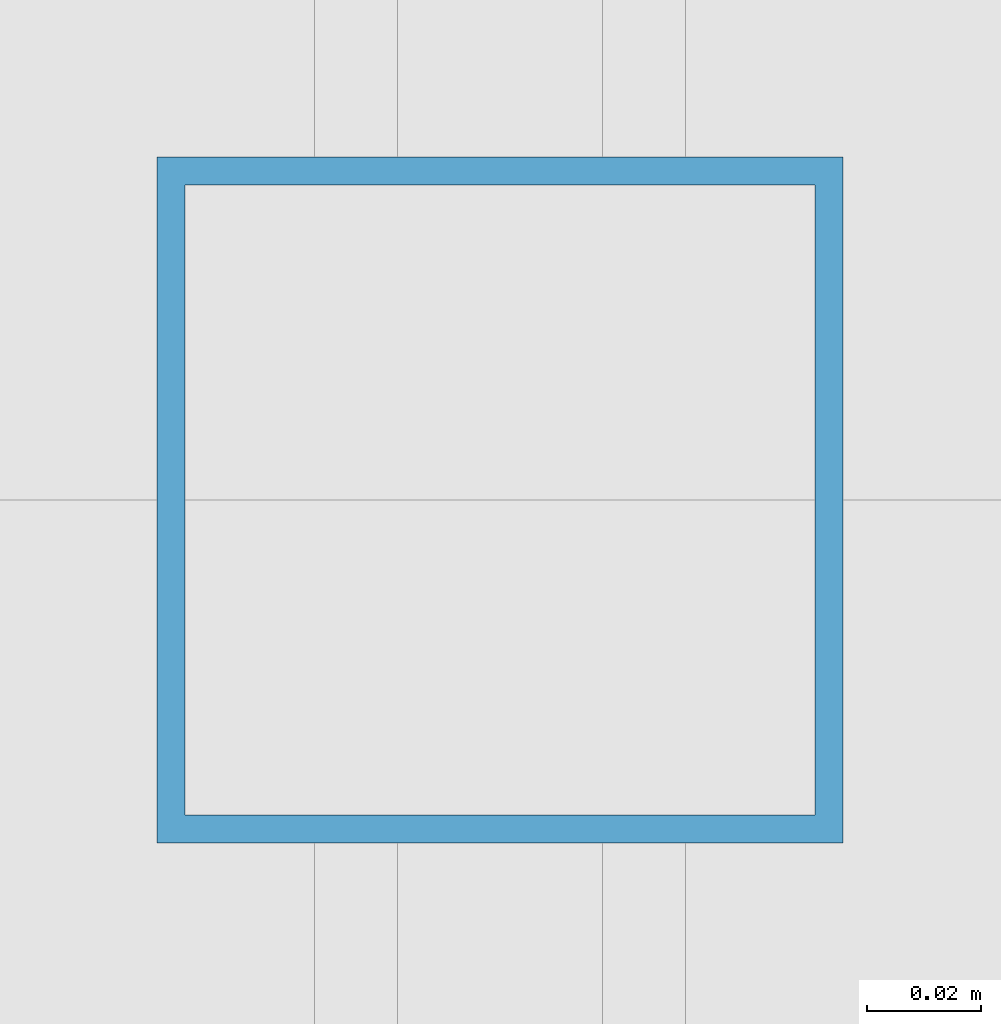
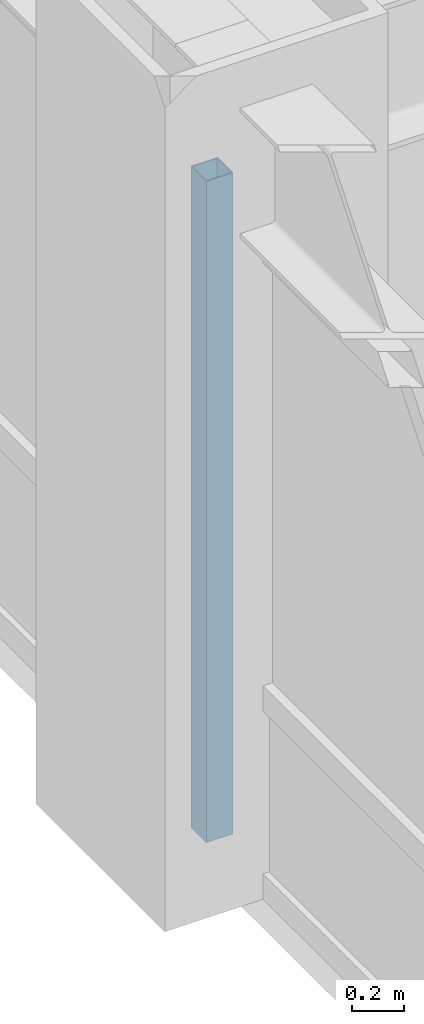
# One storey, part 6 of 29: 1 member, 1 element without a shape of its own.
"""IFC4 building model written with IfcOpenShell, lengths in metres."""

from ifc_helpers import new_model, si_unit, direction, frame, origin, origin_2d, place, context, subcontext, project, spatial, hollow_rectangle, extrude, source, transform, mapped, material, material_profile, profile_set, type_object, element, aggregate, save


model = new_model("IFC4")

# Units and contexts
model_context = context("Model", 3, precision=1e-05, world=origin(), true_north=direction((0.0, 1.0)))
body_context = subcontext(model_context, "Body", "Model", "MODEL_VIEW")
ifc_project = project(units=[si_unit("LENGTHUNIT", "METRE"), si_unit("AREAUNIT", "SQUARE_METRE"), si_unit("VOLUMEUNIT", "CUBIC_METRE"), si_unit("PLANEANGLEUNIT", "RADIAN"), si_unit("MASSUNIT", "GRAM", prefix="KILO")], contexts=[model_context])

# Site, building, storey
site_placement = place(None, origin())
site = spatial("IfcSite", under=ifc_project, at=site_placement, CompositionType="ELEMENT")
building_placement = place(site_placement, origin())
building = spatial("IfcBuilding", under=site, at=building_placement, Name="Khorayat Bourse Tower", CompositionType="ELEMENT")
storey_placement = place(building_placement, frame((0.0, 0.0, 235.10009765625)))
storey = spatial("IfcBuildingStorey", under=building, at=storey_placement, Name="L55", CompositionType="ELEMENT", Elevation=235.10009765625)

# Curtain wall, member
ifc_material = material(Name="Aluminium EN AW-6063 T6", Category="aluminium")
curtain_wall_type = type_object("IfcCurtainWallType", Name="CW-SYS-03", PredefinedType="NOTDEFINED", material=ifc_material)
curtain_wall_placement = place(storey_placement, origin())
curtain_wall = element("IfcCurtainWall", 1, at=curtain_wall_placement, inside=storey, type_object=curtain_wall_type, Name="L55 Curtain Wall CW-L55-W1", PredefinedType="NOTDEFINED")
ifc_material_profile = material_profile(ifc_material, hollow_rectangle(XDim=0.1201171875, YDim=0.1201171875, WallThickness=0.0048828125, at=origin_2d()), Name="ALU 120x120x5")
ifc_profile_set = profile_set([ifc_material_profile], Name="Aluminium EN AW-6063 T6")
member_type = type_object("IfcMemberType", Name="CWM-VERT-120", PredefinedType="MULLION", material=ifc_profile_set)
shared_shape = source(origin(), body_context, "Body", "SweptSolid", [
    extrude(hollow_rectangle(XDim=0.1201171875, YDim=0.1201171875, WallThickness=0.0048828125, at=origin_2d()), origin(), (0.0, 0.0, 1.0), 3.1298828125),
])
member_placement = place(storey_placement, frame((-30.0, 0.0, 0.0), z_axis=(0.0, 0.0, 1.0), x_axis=(-1.0, 0.0, 0.0)))
member = element("IfcMember", 2, at=member_placement, type_object=member_type, Name="CW-L55-W1 Vertical Mullion 2", PredefinedType="MULLION", context=body_context, shape_type="MappedRepresentation", body=[
    mapped(shared_shape, transform((0.0, 0.0, 0.0), scale=1.0)),
])
aggregate(curtain_wall, [member])

save(model, "model.ifc")
